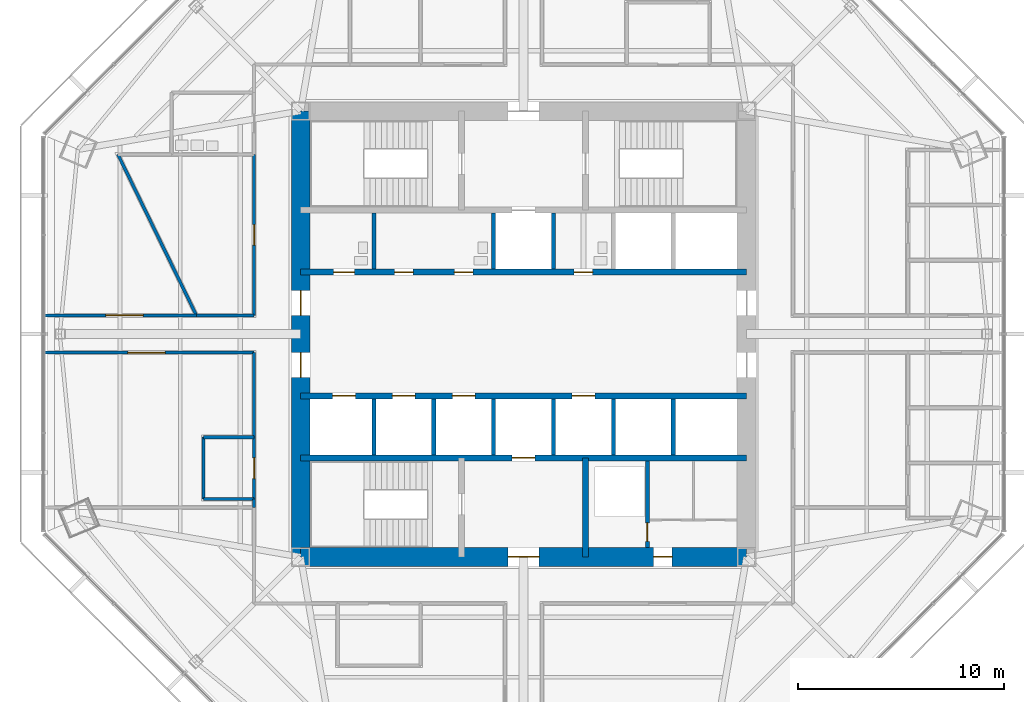
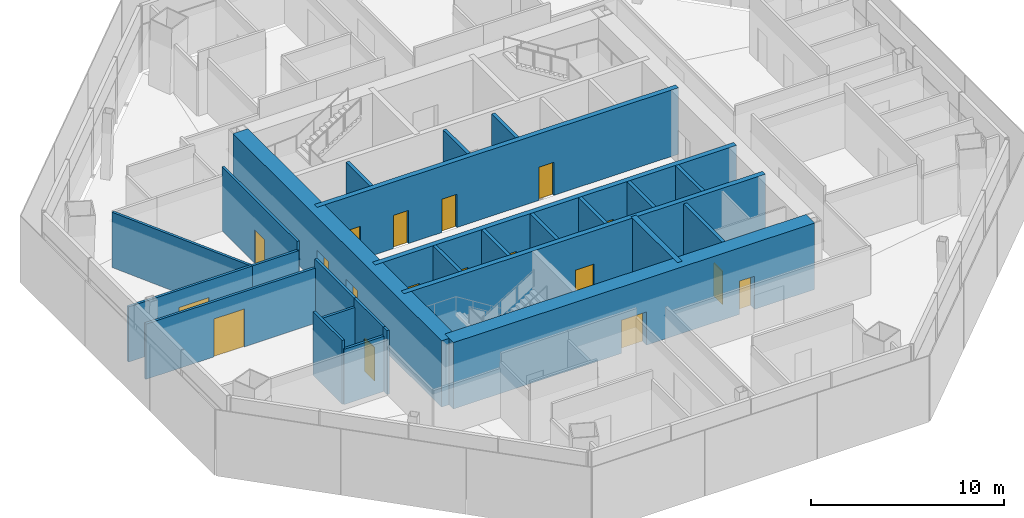
# One storey, part 9 of 15: 27 walls, 18 doors, 18 openings.
"""IFC4 building model written with IfcOpenShell, lengths in metres."""

from ifc_helpers import new_model, si_unit, direction, frame, frame_2d, origin, place, context, subcontext, project, spatial, rectangle, extrude, material, layer, layer_set, type_object, element, fill, save


model = new_model("IFC4")

# Units and contexts
model_context = context("Model", 3, precision=1e-05, world=origin(), true_north=direction((0.0, 1.0)))
body_context = subcontext(model_context, "Body", "Model", "MODEL_VIEW")
ifc_project = project(units=[si_unit("LENGTHUNIT", "METRE"), si_unit("AREAUNIT", "SQUARE_METRE"), si_unit("VOLUMEUNIT", "CUBIC_METRE"), si_unit("PLANEANGLEUNIT", "RADIAN"), si_unit("MASSUNIT", "GRAM", prefix="KILO")], contexts=[model_context])

# Site, building, storey
site_placement = place(None, origin())
site = spatial("IfcSite", under=ifc_project, at=site_placement, CompositionType="ELEMENT")
building_placement = place(site_placement, origin())
building = spatial("IfcBuilding", under=site, at=building_placement, Name="Mashrafa Tower", CompositionType="ELEMENT")
storey_placement = place(building_placement, frame((0.0, 0.0, 168.0)))
storey = spatial("IfcBuildingStorey", under=building, at=storey_placement, Name="L38", CompositionType="ELEMENT", Elevation=168.0)

# Wall, opening, door
ifc_material_1 = material(Name="Concrete masonry unit", Category="masonry")
ifc_layer_1 = layer(ifc_material_1, 0.199951171875)
ifc_layer_set_1 = layer_set([ifc_layer_1], Name="Blockwork wall 200 2 hr")
wall_type_1 = type_object("IfcWallType", Name="Blockwork wall 200 2 hr", PredefinedType="PARTITIONING", material=ifc_layer_set_1)
wall_1_placement = place(storey_placement, frame((6.0, -10.35009765625, 0.0), z_axis=(0.0, 0.0, 1.0), x_axis=(0.0, 1.0, 0.0)))
wall_1 = element("IfcWall", 1, at=wall_1_placement, inside=storey, type_object=wall_type_1, Name="Riser enclosure wall L38", PredefinedType="PARTITIONING", context=body_context, shape_type="SweptSolid", body=[
    extrude(rectangle(XDim=4.2001953125, YDim=0.199951171875, at=frame_2d((2.10009765625, 0.0))), origin(), (0.0, 0.0, 1.0), 4.034912109375),
])
opening_1_placement = place(wall_1_placement, frame((0.300048828125, 0.0, 0.0)))
opening_1 = element("IfcOpeningElement", 2, at=opening_1_placement, cuts=wall_1, Name="Opening 38.034", PredefinedType="OPENING", context=body_context, shape_type="SweptSolid", body=[
    extrude(rectangle(XDim=0.89990234375, YDim=2.10009765625, at=frame_2d((0.449951171875, 1.050048828125))), frame((0.0, 0.10986328125, 0.0), z_axis=(0.0, -1.0, 0.0), x_axis=(1.0, 0.0, 0.0)), (0.0, 0.0, 1.0), 0.219970703125),
])
ifc_material_2 = material(Name="Steel door", Category="steel")
door_type_1 = type_object("IfcDoorType", Name="Service door 900 x 2100 90 min", OperationType="USERDEFINED", PredefinedType="DOOR", material=ifc_material_2)
door_1_placement = place(opening_1_placement, origin())
door_1 = element("IfcDoor", 3, at=door_1_placement, inside=storey, type_object=door_type_1, Name="Riser door L38", OperationType="SINGLE_SWING_LEFT", OverallHeight=2.10009765625, OverallWidth=0.89990234375, PredefinedType="DOOR", context=body_context, shape_type="SweptSolid", body=[
    extrude(rectangle(XDim=0.89990234375, YDim=2.10009765625, at=frame_2d((0.449951171875, 1.050048828125))), frame((0.0, 0.02490234375, 0.0), z_axis=(0.0, -1.0, 0.0), x_axis=(1.0, 0.0, 0.0)), (0.0, 0.0, 1.0), 0.050048828125),
])
fill(opening_1, door_1)

# Wall, openings, doors
ifc_material_3 = material(Name="Concrete C60/75", Category="concrete")
ifc_layer_2 = layer(ifc_material_3, 0.300048828125)
ifc_layer_set_2 = layer_set([ifc_layer_2], Name="Core wall 300 C60/75")
wall_type_2 = type_object("IfcWallType", Name="Core wall 300 C60/75", PredefinedType="SOLIDWALL", material=ifc_layer_set_2)
wall_2_placement = place(storey_placement, frame((-10.800048828125, 3.0, 0.0), z_axis=(0.0, 0.0, 1.0), x_axis=(1.0, 0.0, 0.0)))
wall_2 = element("IfcWall", 4, at=wall_2_placement, inside=storey, type_object=wall_type_2, Name="Core wall CH-N L38", PredefinedType="SOLIDWALL", context=body_context, shape_type="SweptSolid", body=[
    extrude(rectangle(XDim=21.60009765625, YDim=0.300048828125, at=frame_2d((10.800048828125, 0.0))), origin(), (0.0, 0.0, 1.0), 4.199951171875),
])
opening_2_placement = place(wall_2_placement, frame((1.60009765625, 0.0, 0.0)))
opening_2 = element("IfcOpeningElement", 5, at=opening_2_placement, cuts=wall_2, Name="Opening 38.037", PredefinedType="OPENING", context=body_context, shape_type="SweptSolid", body=[
    extrude(rectangle(XDim=1.0, YDim=2.10009765625, at=frame_2d((0.5, 1.050048828125))), frame((0.0, 0.159912109375, 0.0), z_axis=(0.0, -1.0, 0.0), x_axis=(1.0, 0.0, 0.0)), (0.0, 0.0, 1.0), 0.320068359375),
])
opening_3_placement = place(wall_2_placement, frame((4.550048828125, 0.0, 0.0)))
opening_3 = element("IfcOpeningElement", 6, at=opening_3_placement, cuts=wall_2, Name="Opening 38.038", PredefinedType="OPENING", context=body_context, shape_type="SweptSolid", body=[
    extrude(rectangle(XDim=0.89990234375, YDim=2.10009765625, at=frame_2d((0.449951171875, 1.050048828125))), frame((0.0, 0.159912109375, 0.0), z_axis=(0.0, -1.0, 0.0), x_axis=(1.0, 0.0, 0.0)), (0.0, 0.0, 1.0), 0.320068359375),
])
opening_4_placement = place(wall_2_placement, frame((7.449951171875, 0.0, 0.0)))
opening_4 = element("IfcOpeningElement", 7, at=opening_4_placement, cuts=wall_2, Name="Opening 38.039", PredefinedType="OPENING", context=body_context, shape_type="SweptSolid", body=[
    extrude(rectangle(XDim=0.89990234375, YDim=2.10009765625, at=frame_2d((0.449951171875, 1.050048828125))), frame((0.0, 0.159912109375, 0.0), z_axis=(0.0, -1.0, 0.0), x_axis=(1.0, 0.0, 0.0)), (0.0, 0.0, 1.0), 0.320068359375),
])
opening_5_placement = place(wall_2_placement, frame((13.25, 0.0, 0.0)))
opening_5 = element("IfcOpeningElement", 8, at=opening_5_placement, cuts=wall_2, Name="Opening 38.040", PredefinedType="OPENING", context=body_context, shape_type="SweptSolid", body=[
    extrude(rectangle(XDim=0.89990234375, YDim=2.10009765625, at=frame_2d((0.449951171875, 1.050048828125))), frame((0.0, 0.159912109375, 0.0), z_axis=(0.0, -1.0, 0.0), x_axis=(1.0, 0.0, 0.0)), (0.0, 0.0, 1.0), 0.320068359375),
])
ifc_material_4 = material(Name="Timber door", Category="wood")
door_type_2 = type_object("IfcDoorType", Name="Accessible toilet door 1000 x 2100", OperationType="USERDEFINED", PredefinedType="DOOR", material=ifc_material_4)
door_2_placement = place(opening_2_placement, origin())
door_2 = element("IfcDoor", 9, at=door_2_placement, inside=storey, type_object=door_type_2, Name="Accessible WC L38 door", OperationType="SINGLE_SWING_RIGHT", OverallHeight=2.10009765625, OverallWidth=1.0, PredefinedType="DOOR", context=body_context, shape_type="SweptSolid", body=[
    extrude(rectangle(XDim=1.0, YDim=2.10009765625, at=frame_2d((0.5, 1.050048828125))), frame((0.0, 0.02490234375, 0.0), z_axis=(0.0, -1.0, 0.0), x_axis=(1.0, 0.0, 0.0)), (0.0, 0.0, 1.0), 0.050048828125),
])
fill(opening_2, door_2)
ifc_material_5 = material(Name="Timber door", Category="wood")
door_type_3 = type_object("IfcDoorType", Name="Toilet door 900 x 2100", OperationType="USERDEFINED", PredefinedType="DOOR", material=ifc_material_5)
door_3_placement = place(opening_3_placement, origin())
door_3 = element("IfcDoor", 10, at=door_3_placement, inside=storey, type_object=door_type_3, Name="WC Male L38 door", OperationType="SINGLE_SWING_LEFT", OverallHeight=2.10009765625, OverallWidth=0.89990234375, PredefinedType="DOOR", context=body_context, shape_type="SweptSolid", body=[
    extrude(rectangle(XDim=0.89990234375, YDim=2.10009765625, at=frame_2d((0.449951171875, 1.050048828125))), frame((0.0, 0.02490234375, 0.0), z_axis=(0.0, -1.0, 0.0), x_axis=(1.0, 0.0, 0.0)), (0.0, 0.0, 1.0), 0.050048828125),
])
fill(opening_3, door_3)
door_4_placement = place(opening_4_placement, origin())
door_4 = element("IfcDoor", 11, at=door_4_placement, inside=storey, type_object=door_type_3, Name="WC Male L38 door", OperationType="SINGLE_SWING_RIGHT", OverallHeight=2.10009765625, OverallWidth=0.89990234375, PredefinedType="DOOR", context=body_context, shape_type="SweptSolid", body=[
    extrude(rectangle(XDim=0.89990234375, YDim=2.10009765625, at=frame_2d((0.449951171875, 1.050048828125))), frame((0.0, 0.02490234375, 0.0), z_axis=(0.0, -1.0, 0.0), x_axis=(1.0, 0.0, 0.0)), (0.0, 0.0, 1.0), 0.050048828125),
])
fill(opening_4, door_4)
door_5_placement = place(opening_5_placement, origin())
door_5 = element("IfcDoor", 12, at=door_5_placement, inside=storey, type_object=door_type_3, Name="WC Female L38 door", OperationType="SINGLE_SWING_LEFT", OverallHeight=2.10009765625, OverallWidth=0.89990234375, PredefinedType="DOOR", context=body_context, shape_type="SweptSolid", body=[
    extrude(rectangle(XDim=0.89990234375, YDim=2.10009765625, at=frame_2d((0.449951171875, 1.050048828125))), frame((0.0, 0.02490234375, 0.0), z_axis=(0.0, -1.0, 0.0), x_axis=(1.0, 0.0, 0.0)), (0.0, 0.0, 1.0), 0.050048828125),
])
fill(opening_5, door_5)

wall_3_placement = place(storey_placement, frame((-10.800048828125, -3.0, 0.0), z_axis=(0.0, 0.0, 1.0), x_axis=(1.0, 0.0, 0.0)))
wall_3 = element("IfcWall", 13, at=wall_3_placement, inside=storey, type_object=wall_type_2, Name="Core wall CH-S L38", PredefinedType="SOLIDWALL", context=body_context, shape_type="SweptSolid", body=[
    extrude(rectangle(XDim=21.60009765625, YDim=0.300048828125, at=frame_2d((10.800048828125, 0.0))), origin(), (0.0, 0.0, 1.0), 4.199951171875),
])
opening_6_placement = place(wall_3_placement, frame((1.550048828125, 0.0, 0.0)))
opening_6 = element("IfcOpeningElement", 14, at=opening_6_placement, cuts=wall_3, Name="Opening 38.B1", PredefinedType="OPENING", context=body_context, shape_type="SweptSolid", body=[
    extrude(rectangle(XDim=1.10009765625, YDim=2.10009765625, at=frame_2d((0.550048828125, 1.050048828125))), frame((0.0, 0.159912109375, 0.0), z_axis=(0.0, -1.0, 0.0), x_axis=(1.0, 0.0, 0.0)), (0.0, 0.0, 1.0), 0.320068359375),
])
opening_7_placement = place(wall_3_placement, frame((4.449951171875, 0.0, 0.0)))
opening_7 = element("IfcOpeningElement", 15, at=opening_7_placement, cuts=wall_3, Name="Opening 38.B2", PredefinedType="OPENING", context=body_context, shape_type="SweptSolid", body=[
    extrude(rectangle(XDim=1.10009765625, YDim=2.10009765625, at=frame_2d((0.550048828125, 1.050048828125))), frame((0.0, 0.159912109375, 0.0), z_axis=(0.0, -1.0, 0.0), x_axis=(1.0, 0.0, 0.0)), (0.0, 0.0, 1.0), 0.320068359375),
])
opening_8_placement = place(wall_3_placement, frame((7.35009765625, 0.0, 0.0)))
opening_8 = element("IfcOpeningElement", 16, at=opening_8_placement, cuts=wall_3, Name="Opening 38.B3", PredefinedType="OPENING", context=body_context, shape_type="SweptSolid", body=[
    extrude(rectangle(XDim=1.10009765625, YDim=2.10009765625, at=frame_2d((0.550048828125, 1.050048828125))), frame((0.0, 0.159912109375, 0.0), z_axis=(0.0, -1.0, 0.0), x_axis=(1.0, 0.0, 0.0)), (0.0, 0.0, 1.0), 0.320068359375),
])
opening_9_placement = place(wall_3_placement, frame((13.14990234375, 0.0, 0.0)))
opening_9 = element("IfcOpeningElement", 17, at=opening_9_placement, cuts=wall_3, Name="Opening 38.B4", PredefinedType="OPENING", context=body_context, shape_type="SweptSolid", body=[
    extrude(rectangle(XDim=1.10009765625, YDim=2.10009765625, at=frame_2d((0.550048828125, 1.050048828125))), frame((0.0, 0.159912109375, 0.0), z_axis=(0.0, -1.0, 0.0), x_axis=(1.0, 0.0, 0.0)), (0.0, 0.0, 1.0), 0.320068359375),
])
ifc_material_6 = material(Name="Steel door", Category="steel")
door_type_4 = type_object("IfcDoorType", Name="Lift landing door 1100 x 2100 90 min", OperationType="DOUBLE_DOOR_SLIDING", PredefinedType="DOOR", material=ifc_material_6)
door_6_placement = place(opening_6_placement, origin())
door_6 = element("IfcDoor", 18, at=door_6_placement, inside=storey, type_object=door_type_4, Name="Lift landing door B1 L38", OperationType="DOUBLE_DOOR_SLIDING", OverallHeight=2.10009765625, OverallWidth=1.10009765625, PredefinedType="DOOR", context=body_context, shape_type="SweptSolid", body=[
    extrude(rectangle(XDim=1.10009765625, YDim=2.10009765625, at=frame_2d((0.550048828125, 1.050048828125))), frame((0.0, 0.02490234375, 0.0), z_axis=(0.0, -1.0, 0.0), x_axis=(1.0, 0.0, 0.0)), (0.0, 0.0, 1.0), 0.050048828125),
])
fill(opening_6, door_6)
door_7_placement = place(opening_7_placement, origin())
door_7 = element("IfcDoor", 19, at=door_7_placement, inside=storey, type_object=door_type_4, Name="Lift landing door B2 L38", OperationType="DOUBLE_DOOR_SLIDING", OverallHeight=2.10009765625, OverallWidth=1.10009765625, PredefinedType="DOOR", context=body_context, shape_type="SweptSolid", body=[
    extrude(rectangle(XDim=1.10009765625, YDim=2.10009765625, at=frame_2d((0.550048828125, 1.050048828125))), frame((0.0, 0.02490234375, 0.0), z_axis=(0.0, -1.0, 0.0), x_axis=(1.0, 0.0, 0.0)), (0.0, 0.0, 1.0), 0.050048828125),
])
fill(opening_7, door_7)
door_8_placement = place(opening_8_placement, origin())
door_8 = element("IfcDoor", 20, at=door_8_placement, inside=storey, type_object=door_type_4, Name="Lift landing door B3 L38", OperationType="DOUBLE_DOOR_SLIDING", OverallHeight=2.10009765625, OverallWidth=1.10009765625, PredefinedType="DOOR", context=body_context, shape_type="SweptSolid", body=[
    extrude(rectangle(XDim=1.10009765625, YDim=2.10009765625, at=frame_2d((0.550048828125, 1.050048828125))), frame((0.0, 0.02490234375, 0.0), z_axis=(0.0, -1.0, 0.0), x_axis=(1.0, 0.0, 0.0)), (0.0, 0.0, 1.0), 0.050048828125),
])
fill(opening_8, door_8)
door_9_placement = place(opening_9_placement, origin())
door_9 = element("IfcDoor", 21, at=door_9_placement, inside=storey, type_object=door_type_4, Name="Lift landing door B4 L38", OperationType="DOUBLE_DOOR_SLIDING", OverallHeight=2.10009765625, OverallWidth=1.10009765625, PredefinedType="DOOR", context=body_context, shape_type="SweptSolid", body=[
    extrude(rectangle(XDim=1.10009765625, YDim=2.10009765625, at=frame_2d((0.550048828125, 1.050048828125))), frame((0.0, 0.02490234375, 0.0), z_axis=(0.0, -1.0, 0.0), x_axis=(1.0, 0.0, 0.0)), (0.0, 0.0, 1.0), 0.050048828125),
])
fill(opening_9, door_9)

# Wall, opening, door
wall_4_placement = place(storey_placement, frame((-10.800048828125, -6.0, 0.0), z_axis=(0.0, 0.0, 1.0), x_axis=(1.0, 0.0, 0.0)))
wall_4 = element("IfcWall", 22, at=wall_4_placement, inside=storey, type_object=wall_type_2, Name="Core wall CB-S L38", PredefinedType="SOLIDWALL", context=body_context, shape_type="SweptSolid", body=[
    extrude(rectangle(XDim=21.60009765625, YDim=0.300048828125, at=frame_2d((10.800048828125, 0.0))), origin(), (0.0, 0.0, 1.0), 4.199951171875),
])
opening_10_placement = place(wall_4_placement, frame((10.25, 0.0, 0.0)))
opening_10 = element("IfcOpeningElement", 23, at=opening_10_placement, cuts=wall_4, Name="Opening 38.F2", PredefinedType="OPENING", context=body_context, shape_type="SweptSolid", body=[
    extrude(rectangle(XDim=1.10009765625, YDim=2.10009765625, at=frame_2d((0.550048828125, 1.050048828125))), frame((0.0, 0.159912109375, 0.0), z_axis=(0.0, -1.0, 0.0), x_axis=(1.0, 0.0, 0.0)), (0.0, 0.0, 1.0), 0.320068359375),
])
door_10_placement = place(opening_10_placement, origin())
door_10 = element("IfcDoor", 24, at=door_10_placement, inside=storey, type_object=door_type_4, Name="Lift landing door F2 L38", OperationType="DOUBLE_DOOR_SLIDING", OverallHeight=2.10009765625, OverallWidth=1.10009765625, PredefinedType="DOOR", context=body_context, shape_type="SweptSolid", body=[
    extrude(rectangle(XDim=1.10009765625, YDim=2.10009765625, at=frame_2d((0.550048828125, 1.050048828125))), frame((0.0, 0.02490234375, 0.0), z_axis=(0.0, -1.0, 0.0), x_axis=(1.0, 0.0, 0.0)), (0.0, 0.0, 1.0), 0.050048828125),
])
fill(opening_10, door_10)

# Wall
wall_5_placement = place(storey_placement, frame((3.0, -6.0, 0.0), z_axis=(0.0, 0.0, 1.0), x_axis=(0.0, -1.0, 0.0)))
element("IfcWall", 25, at=wall_5_placement, inside=storey, type_object=wall_type_2, Name="Core wall CX-SE L38", PredefinedType="SOLIDWALL", context=body_context, shape_type="SweptSolid", body=[
    extrude(rectangle(XDim=4.800048828125, YDim=0.300048828125, at=frame_2d((2.39990234375, 0.0))), origin(), (0.0, 0.0, 1.0), 4.199951171875),
])

# Wall, openings, doors
ifc_material_7 = material(Name="Concrete C60/75", Category="concrete")
ifc_layer_3 = layer(ifc_material_7, 0.89990234375)
ifc_layer_set_3 = layer_set([ifc_layer_3], Name="Core wall 900 C60/75")
wall_type_3 = type_object("IfcWallType", Name="Core wall 900 C60/75", PredefinedType="SOLIDWALL", material=ifc_layer_set_3)
wall_6_placement = place(storey_placement, frame((-10.800048828125, -10.800048828125, 0.0), z_axis=(0.0, 0.0, 1.0), x_axis=(1.0, 0.0, 0.0)))
wall_6 = element("IfcWall", 26, at=wall_6_placement, inside=storey, type_object=wall_type_3, Name="Core wall CW-S L38", PredefinedType="SOLIDWALL", context=body_context, shape_type="SweptSolid", body=[
    extrude(rectangle(XDim=21.60009765625, YDim=0.89990234375, at=frame_2d((10.800048828125, 0.0))), origin(), (0.0, 0.0, 1.0), 4.199951171875),
])
opening_11_placement = place(wall_6_placement, frame((10.050048828125, 0.0, 0.0)))
opening_11 = element("IfcOpeningElement", 27, at=opening_11_placement, cuts=wall_6, Name="Opening 38.029", PredefinedType="OPENING", context=body_context, shape_type="SweptSolid", body=[
    extrude(rectangle(XDim=1.5, YDim=2.10009765625, at=frame_2d((0.75, 1.050048828125))), frame((0.0, 0.4599609375, 0.0), z_axis=(0.0, -1.0, 0.0), x_axis=(1.0, 0.0, 0.0)), (0.0, 0.0, 1.0), 0.919921875),
])
opening_12_placement = place(wall_6_placement, frame((17.10009765625, 0.0, 0.0)))
opening_12 = element("IfcOpeningElement", 28, at=opening_12_placement, cuts=wall_6, Name="Opening 38.033", PredefinedType="OPENING", context=body_context, shape_type="SweptSolid", body=[
    extrude(rectangle(XDim=0.89990234375, YDim=2.10009765625, at=frame_2d((0.449951171875, 1.050048828125))), frame((0.0, 0.4599609375, 0.0), z_axis=(0.0, -1.0, 0.0), x_axis=(1.0, 0.0, 0.0)), (0.0, 0.0, 1.0), 0.919921875),
])
ifc_material_8 = material(Name="Steel door", Category="steel")
door_type_5 = type_object("IfcDoorType", Name="Lobby door pair 1500 x 2100 90 min", OperationType="DOUBLE_DOOR_SINGLE_SWING", PredefinedType="DOOR", material=ifc_material_8)
door_11_placement = place(opening_11_placement, origin())
door_11 = element("IfcDoor", 29, at=door_11_placement, inside=storey, type_object=door_type_5, Name="Fire-fighting lobby F2 door L38", OperationType="DOUBLE_DOOR_SINGLE_SWING", OverallHeight=2.10009765625, OverallWidth=1.5, PredefinedType="DOOR", context=body_context, shape_type="SweptSolid", body=[
    extrude(rectangle(XDim=1.5, YDim=2.10009765625, at=frame_2d((0.75, 1.050048828125))), frame((0.0, 0.02490234375, 0.0), z_axis=(0.0, -1.0, 0.0), x_axis=(1.0, 0.0, 0.0)), (0.0, 0.0, 1.0), 0.050048828125),
])
fill(opening_11, door_11)
door_12_placement = place(opening_12_placement, frame((0.89990234375, 0.0, 0.0), z_axis=(0.0, 0.0, 1.0), x_axis=(-1.0, 0.0, 0.0)))
door_12 = element("IfcDoor", 30, at=door_12_placement, inside=storey, type_object=door_type_1, Name="Services Lobby L38 door", OperationType="SINGLE_SWING_LEFT", OverallHeight=2.10009765625, OverallWidth=0.89990234375, PredefinedType="DOOR", context=body_context, shape_type="SweptSolid", body=[
    extrude(rectangle(XDim=0.89990234375, YDim=2.10009765625, at=frame_2d((0.449951171875, 1.050048828125))), frame((0.0, 0.02490234375, 0.0), z_axis=(0.0, -1.0, 0.0), x_axis=(1.0, 0.0, 0.0)), (0.0, 0.0, 1.0), 0.050048828125),
])
fill(opening_12, door_12)

wall_7_placement = place(storey_placement, frame((-10.800048828125, 10.800048828125, 0.0), z_axis=(0.0, 0.0, 1.0), x_axis=(0.0, -1.0, 0.0)))
wall_7 = element("IfcWall", 31, at=wall_7_placement, inside=storey, type_object=wall_type_3, Name="Core wall CW-W L38", PredefinedType="SOLIDWALL", context=body_context, shape_type="SweptSolid", body=[
    extrude(rectangle(XDim=21.60009765625, YDim=0.89990234375, at=frame_2d((10.800048828125, 0.0))), origin(), (0.0, 0.0, 1.0), 4.199951171875),
])
opening_13_placement = place(wall_7_placement, frame((8.699951171875, 0.0, 0.0)))
opening_13 = element("IfcOpeningElement", 32, at=opening_13_placement, cuts=wall_7, Name="Opening 38.025", PredefinedType="OPENING", context=body_context, shape_type="SweptSolid", body=[
    extrude(rectangle(XDim=1.199951171875, YDim=2.10009765625, at=frame_2d((0.60009765625, 1.050048828125))), frame((0.0, 0.4599609375, 0.0), z_axis=(0.0, -1.0, 0.0), x_axis=(1.0, 0.0, 0.0)), (0.0, 0.0, 1.0), 0.919921875),
])
opening_14_placement = place(wall_7_placement, frame((11.699951171875, 0.0, 0.0)))
opening_14 = element("IfcOpeningElement", 33, at=opening_14_placement, cuts=wall_7, Name="Opening 38.027", PredefinedType="OPENING", context=body_context, shape_type="SweptSolid", body=[
    extrude(rectangle(XDim=1.199951171875, YDim=2.10009765625, at=frame_2d((0.60009765625, 1.050048828125))), frame((0.0, 0.4599609375, 0.0), z_axis=(0.0, -1.0, 0.0), x_axis=(1.0, 0.0, 0.0)), (0.0, 0.0, 1.0), 0.919921875),
])
ifc_material_9 = material(Name="Steel door", Category="steel")
door_type_6 = type_object("IfcDoorType", Name="Lift hall door 1200 x 2100 90 min", OperationType="USERDEFINED", PredefinedType="DOOR", material=ifc_material_9)
door_13_placement = place(opening_13_placement, frame((1.199951171875, 0.0, 0.0), z_axis=(0.0, 0.0, 1.0), x_axis=(-1.0, 0.0, 0.0)))
door_13 = element("IfcDoor", 34, at=door_13_placement, inside=storey, type_object=door_type_6, Name="Lift hall door west L38", OperationType="SINGLE_SWING_RIGHT", OverallHeight=2.10009765625, OverallWidth=1.199951171875, PredefinedType="DOOR", context=body_context, shape_type="SweptSolid", body=[
    extrude(rectangle(XDim=1.199951171875, YDim=2.10009765625, at=frame_2d((0.60009765625, 1.050048828125))), frame((0.0, 0.02490234375, 0.0), z_axis=(0.0, -1.0, 0.0), x_axis=(1.0, 0.0, 0.0)), (0.0, 0.0, 1.0), 0.050048828125),
])
fill(opening_13, door_13)
door_14_placement = place(opening_14_placement, frame((1.199951171875, 0.0, 0.0), z_axis=(0.0, 0.0, 1.0), x_axis=(-1.0, 0.0, 0.0)))
door_14 = element("IfcDoor", 35, at=door_14_placement, inside=storey, type_object=door_type_6, Name="Lift hall door west L38", OperationType="SINGLE_SWING_LEFT", OverallHeight=2.10009765625, OverallWidth=1.199951171875, PredefinedType="DOOR", context=body_context, shape_type="SweptSolid", body=[
    extrude(rectangle(XDim=1.199951171875, YDim=2.10009765625, at=frame_2d((0.60009765625, 1.050048828125))), frame((0.0, 0.02490234375, 0.0), z_axis=(0.0, -1.0, 0.0), x_axis=(1.0, 0.0, 0.0)), (0.0, 0.0, 1.0), 0.050048828125),
])
fill(opening_14, door_14)

# Wall, opening, door
ifc_material_10 = material(Name="Gypsum board on steel studs", Category="steel")
ifc_layer_4 = layer(ifc_material_10, 0.14990234375)
ifc_layer_set_4 = layer_set([ifc_layer_4], Name="Corridor partition 150 1 hr")
wall_type_4 = type_object("IfcWallType", Name="Corridor partition 150 1 hr", PredefinedType="PARTITIONING", material=ifc_layer_set_4)
wall_8_placement = place(storey_placement, frame((-13.050048828125, 8.700927734375, 0.0), z_axis=(0.0, 0.0, 1.0), x_axis=(0.0, -1.0, 0.0)))
wall_8 = element("IfcWall", 36, at=wall_8_placement, inside=storey, type_object=wall_type_4, Name="Corridor wall L38-001", PredefinedType="PARTITIONING", context=body_context, shape_type="SweptSolid", body=[
    extrude(rectangle(XDim=7.801025390625, YDim=0.14990234375, at=frame_2d((3.900390625, 0.0))), origin(), (0.0, 0.0, 1.0), 4.034912109375),
])
opening_15_placement = place(wall_8_placement, frame((3.400390625, 0.0, 0.0)))
opening_15 = element("IfcOpeningElement", 37, at=opening_15_placement, cuts=wall_8, Name="Opening 38.001", PredefinedType="OPENING", context=body_context, shape_type="SweptSolid", body=[
    extrude(rectangle(XDim=1.0, YDim=2.10009765625, at=frame_2d((0.5, 1.050048828125))), frame((0.0, 0.0849609375, 0.0), z_axis=(0.0, -1.0, 0.0), x_axis=(1.0, 0.0, 0.0)), (0.0, 0.0, 1.0), 0.169921875),
])
ifc_material_11 = material(Name="Timber door", Category="wood")
door_type_7 = type_object("IfcDoorType", Name="Door 1000 x 2100", OperationType="USERDEFINED", PredefinedType="DOOR", material=ifc_material_11)
door_15_placement = place(opening_15_placement, frame((1.0, 0.0, 0.0), z_axis=(0.0, 0.0, 1.0), x_axis=(-1.0, 0.0, 0.0)))
door_15 = element("IfcDoor", 38, at=door_15_placement, inside=storey, type_object=door_type_7, Name="Musallah Prayer Room 38 door", OperationType="SINGLE_SWING_LEFT", OverallHeight=2.10009765625, OverallWidth=1.0, PredefinedType="DOOR", context=body_context, shape_type="SweptSolid", body=[
    extrude(rectangle(XDim=1.0, YDim=2.10009765625, at=frame_2d((0.5, 1.050048828125))), frame((0.0, 0.02490234375, 0.0), z_axis=(0.0, -1.0, 0.0), x_axis=(1.0, 0.0, 0.0)), (0.0, 0.0, 1.0), 0.050048828125),
])
fill(opening_15, door_15)

# Wall
wall_9_placement = place(storey_placement, frame((-13.050048828125, 0.89990234375, 0.0), z_axis=(0.0, 0.0, 1.0), x_axis=(-1.0, 0.0, 0.0)))
element("IfcWall", 39, at=wall_9_placement, inside=storey, type_object=wall_type_4, Name="Corridor wall L38-002", PredefinedType="PARTITIONING", context=body_context, shape_type="SweptSolid", body=[
    extrude(rectangle(XDim=2.796630859375, YDim=0.14990234375, at=frame_2d((1.3984375, 0.0))), origin(), (0.0, 0.0, 1.0), 3.49169921875),
])

# Wall, opening, door
wall_10_placement = place(storey_placement, frame((-13.050048828125, -4.9990234375, 0.0), z_axis=(0.0, 0.0, 1.0), x_axis=(0.0, -1.0, 0.0)))
wall_10 = element("IfcWall", 40, at=wall_10_placement, inside=storey, type_object=wall_type_4, Name="Corridor wall L38-008", PredefinedType="PARTITIONING", context=body_context, shape_type="SweptSolid", body=[
    extrude(rectangle(XDim=3.001953125, YDim=0.14990234375, at=frame_2d((1.5009765625, 0.0))), origin(), (0.0, 0.0, 1.0), 4.034912109375),
])
opening_16_placement = place(wall_10_placement, frame((1.0009765625, 0.0, 0.0)))
opening_16 = element("IfcOpeningElement", 41, at=opening_16_placement, cuts=wall_10, Name="Opening 38.007", PredefinedType="OPENING", context=body_context, shape_type="SweptSolid", body=[
    extrude(rectangle(XDim=1.0, YDim=2.10009765625, at=frame_2d((0.5, 1.050048828125))), frame((0.0, 0.0849609375, 0.0), z_axis=(0.0, -1.0, 0.0), x_axis=(1.0, 0.0, 0.0)), (0.0, 0.0, 1.0), 0.169921875),
])
door_16_placement = place(opening_16_placement, frame((1.0, 0.0, 0.0), z_axis=(0.0, 0.0, 1.0), x_axis=(-1.0, 0.0, 0.0)))
door_16 = element("IfcDoor", 42, at=door_16_placement, inside=storey, type_object=door_type_7, Name="Pantry 38-3 door", OperationType="SINGLE_SWING_RIGHT", OverallHeight=2.10009765625, OverallWidth=1.0, PredefinedType="DOOR", context=body_context, shape_type="SweptSolid", body=[
    extrude(rectangle(XDim=1.0, YDim=2.10009765625, at=frame_2d((0.5, 1.050048828125))), frame((0.0, 0.02490234375, 0.0), z_axis=(0.0, -1.0, 0.0), x_axis=(1.0, 0.0, 0.0)), (0.0, 0.0, 1.0), 0.050048828125),
])
fill(opening_16, door_16)

wall_11_placement = place(storey_placement, frame((-15.844482421875, 0.89990234375, 0.0), z_axis=(0.0, 0.0, 1.0), x_axis=(-1.0, 0.0, 0.0)))
wall_11 = element("IfcWall", 43, at=wall_11_placement, inside=storey, type_object=wall_type_4, Name="Corridor wall L38-016", PredefinedType="PARTITIONING", context=body_context, shape_type="SweptSolid", body=[
    extrude(rectangle(XDim=7.401611328125, YDim=0.14990234375, at=frame_2d((3.70068359375, 0.0))), origin(), (0.0, 0.0, 1.0), 3.49169921875),
])
opening_17_placement = place(wall_11_placement, frame((2.583740234375, 0.0, 0.0)))
opening_17 = element("IfcOpeningElement", 44, at=opening_17_placement, cuts=wall_11, Name="Opening 38.018", PredefinedType="OPENING", context=body_context, shape_type="SweptSolid", body=[
    extrude(rectangle(XDim=1.800048828125, YDim=2.39990234375, at=frame_2d((0.89990234375, 1.199951171875))), frame((0.0, 0.0849609375, 0.0), z_axis=(0.0, -1.0, 0.0), x_axis=(1.0, 0.0, 0.0)), (0.0, 0.0, 1.0), 0.169921875),
])
ifc_material_12 = material(Name="Timber door", Category="wood")
door_type_8 = type_object("IfcDoorType", Name="Door pair 1800 x 2400", OperationType="DOUBLE_DOOR_SINGLE_SWING", PredefinedType="DOOR", material=ifc_material_12)
door_17_placement = place(opening_17_placement, frame((1.800048828125, 0.0, 0.0), z_axis=(0.0, 0.0, 1.0), x_axis=(-1.0, 0.0, 0.0)))
door_17 = element("IfcDoor", 45, at=door_17_placement, inside=storey, type_object=door_type_8, Name="Office Tenancy 38-3-NW1 door", OperationType="DOUBLE_DOOR_SINGLE_SWING", OverallHeight=2.39990234375, OverallWidth=1.800048828125, PredefinedType="DOOR", context=body_context, shape_type="SweptSolid", body=[
    extrude(rectangle(XDim=1.800048828125, YDim=2.39990234375, at=frame_2d((0.89990234375, 1.199951171875))), frame((0.0, 0.02490234375, 0.0), z_axis=(0.0, -1.0, 0.0), x_axis=(1.0, 0.0, 0.0)), (0.0, 0.0, 1.0), 0.050048828125),
])
fill(opening_17, door_17)

wall_12_placement = place(storey_placement, frame((-23.24609375, -0.89990234375, 0.0), z_axis=(0.0, 0.0, 1.0), x_axis=(1.0, 0.0, 0.0)))
wall_12 = element("IfcWall", 46, at=wall_12_placement, inside=storey, type_object=wall_type_4, Name="Corridor wall L38-025", PredefinedType="PARTITIONING", context=body_context, shape_type="SweptSolid", body=[
    extrude(rectangle(XDim=10.196044921875, YDim=0.14990234375, at=frame_2d((5.09814453125, 0.0))), origin(), (0.0, 0.0, 1.0), 3.49169921875),
])
opening_18_placement = place(wall_12_placement, frame((4.080078125, 0.0, 0.0)))
opening_18 = element("IfcOpeningElement", 47, at=opening_18_placement, cuts=wall_12, Name="Opening 38.021", PredefinedType="OPENING", context=body_context, shape_type="SweptSolid", body=[
    extrude(rectangle(XDim=1.800048828125, YDim=2.39990234375, at=frame_2d((0.89990234375, 1.199951171875))), frame((0.0, 0.0849609375, 0.0), z_axis=(0.0, -1.0, 0.0), x_axis=(1.0, 0.0, 0.0)), (0.0, 0.0, 1.0), 0.169921875),
])
door_18_placement = place(opening_18_placement, frame((1.800048828125, 0.0, 0.0), z_axis=(0.0, 0.0, 1.0), x_axis=(-1.0, 0.0, 0.0)))
door_18 = element("IfcDoor", 48, at=door_18_placement, inside=storey, type_object=door_type_8, Name="Office Tenancy 38-3-SW2 door", OperationType="DOUBLE_DOOR_SINGLE_SWING", OverallHeight=2.39990234375, OverallWidth=1.800048828125, PredefinedType="DOOR", context=body_context, shape_type="SweptSolid", body=[
    extrude(rectangle(XDim=1.800048828125, YDim=2.39990234375, at=frame_2d((0.89990234375, 1.199951171875))), frame((0.0, 0.02490234375, 0.0), z_axis=(0.0, -1.0, 0.0), x_axis=(1.0, 0.0, 0.0)), (0.0, 0.0, 1.0), 0.050048828125),
])
fill(opening_18, door_18)

# Walls
wall_13_placement = place(storey_placement, frame((-13.050048828125, -0.89990234375, 0.0), z_axis=(0.0, 0.0, 1.0), x_axis=(0.0, -1.0, 0.0)))
element("IfcWall", 49, at=wall_13_placement, inside=storey, type_object=wall_type_4, Name="Corridor wall L38-026", PredefinedType="PARTITIONING", context=body_context, shape_type="SweptSolid", body=[
    extrude(rectangle(XDim=4.10107421875, YDim=0.14990234375, at=frame_2d((2.050537109375, 0.0))), origin(), (0.0, 0.0, 1.0), 4.034912109375),
])
wall_14_placement = place(storey_placement, frame((-13.050048828125, -7.9990234375, 0.0), z_axis=(0.0, 0.0, 1.0), x_axis=(0.0, -1.0, 0.0)))
element("IfcWall", 50, at=wall_14_placement, inside=storey, type_object=wall_type_4, Name="Corridor wall L38-027", PredefinedType="PARTITIONING", context=body_context, shape_type="SweptSolid", body=[
    extrude(rectangle(XDim=0.40185546875, YDim=0.14990234375, at=frame_2d((0.200927734375, 0.0))), origin(), (0.0, 0.0, 1.0), 4.034912109375),
])
ifc_material_13 = material(Name="Gypsum board on steel studs", Category="steel")
ifc_layer_5 = layer(ifc_material_13, 0.14990234375)
ifc_layer_set_5 = layer_set([ifc_layer_5], Name="Partition 150")
wall_type_5 = type_object("IfcWallType", Name="Partition 150", PredefinedType="PARTITIONING", material=ifc_layer_set_5)
wall_15_placement = place(storey_placement, frame((-19.64990234375, 8.699951171875, 0.0), z_axis=(0.0, 0.0, 1.0), x_axis=(0.438358227548, -0.898800347319, 0.0)))
element("IfcWall", 51, at=wall_15_placement, inside=storey, type_object=wall_type_5, Name="Partition wall L38-035", PredefinedType="PARTITIONING", context=body_context, shape_type="SweptSolid", body=[
    extrude(rectangle(XDim=8.67822265625, YDim=0.14990234375, at=frame_2d((4.339111328125, 0.0))), origin(), (0.0, 0.0, 1.0), 3.49169921875),
])
wall_16_placement = place(storey_placement, frame((-13.050048828125, -5.0, 0.0), z_axis=(0.0, 0.0, 1.0), x_axis=(-1.0, 0.0, 0.0)))
element("IfcWall", 52, at=wall_16_placement, inside=storey, type_object=wall_type_5, Name="Partition wall L38-052", PredefinedType="PARTITIONING", context=body_context, shape_type="SweptSolid", body=[
    extrude(rectangle(XDim=2.449951171875, YDim=0.14990234375, at=frame_2d((1.22509765625, 0.0))), origin(), (0.0, 0.0, 1.0), 3.49169921875),
])
wall_17_placement = place(storey_placement, frame((-15.5, -5.0, 0.0), z_axis=(0.0, 0.0, 1.0), x_axis=(0.0, -1.0, 0.0)))
element("IfcWall", 53, at=wall_17_placement, inside=storey, type_object=wall_type_5, Name="Partition wall L38-053", PredefinedType="PARTITIONING", context=body_context, shape_type="SweptSolid", body=[
    extrude(rectangle(XDim=3.0, YDim=0.14990234375, at=frame_2d((1.5, 0.0))), origin(), (0.0, 0.0, 1.0), 4.034912109375),
])
wall_18_placement = place(storey_placement, frame((-15.5, -8.0, 0.0), z_axis=(0.0, 0.0, 1.0), x_axis=(1.0, 0.0, 0.0)))
element("IfcWall", 54, at=wall_18_placement, inside=storey, type_object=wall_type_5, Name="Partition wall L38-054", PredefinedType="PARTITIONING", context=body_context, shape_type="SweptSolid", body=[
    extrude(rectangle(XDim=2.449951171875, YDim=0.14990234375, at=frame_2d((1.22509765625, 0.0))), origin(), (0.0, 0.0, 1.0), 3.49169921875),
])
ifc_material_14 = material(Name="Gypsum shaft wall on steel studs", Category="steel")
ifc_layer_6 = layer(ifc_material_14, 0.199951171875)
ifc_layer_set_6 = layer_set([ifc_layer_6], Name="Shaft divider wall 200 2 hr")
wall_type_6 = type_object("IfcWallType", Name="Shaft divider wall 200 2 hr", PredefinedType="PARTITIONING", material=ifc_layer_set_6)
for number, where, z_axis, x_axis, name in (
    (55, (-7.25, 3.14990234375, 0.0), (0.0, 0.0, 1.0), (0.0, 1.0, 0.0), "Shaft divider wall N1 L38"),
    (56, (-1.449951171875, 3.14990234375, 0.0), (0.0, 0.0, 1.0), (0.0, 1.0, 0.0), "Shaft divider wall N3 L38"),
    (57, (1.449951171875, 3.14990234375, 0.0), (0.0, 0.0, 1.0), (0.0, 1.0, 0.0), "Shaft divider wall N4 L38"),
):
    element("IfcWall", number, at=place(storey_placement, frame(where, z_axis=z_axis, x_axis=x_axis)), inside=storey, type_object=wall_type_6, Name=name, PredefinedType="PARTITIONING", context=body_context, shape_type="SweptSolid", body=[
        extrude(rectangle(XDim=2.7001953125, YDim=0.199951171875, at=frame_2d((1.35009765625, 0.0))), origin(), (0.0, 0.0, 1.0), 4.034912109375),
    ])
for number, where, z_axis, x_axis, name in (
    (58, (-7.25, -5.85009765625, 0.0), (0.0, 0.0, 1.0), (0.0, 1.0, 0.0), "Shaft divider wall S1 L38"),
    (59, (-4.35009765625, -5.85009765625, 0.0), (0.0, 0.0, 1.0), (0.0, 1.0, 0.0), "Shaft divider wall S2 L38"),
    (60, (-1.449951171875, -5.85009765625, 0.0), (0.0, 0.0, 1.0), (0.0, 1.0, 0.0), "Shaft divider wall S3 L38"),
    (61, (1.449951171875, -5.85009765625, 0.0), (0.0, 0.0, 1.0), (0.0, 1.0, 0.0), "Shaft divider wall S4 L38"),
    (62, (4.35009765625, -5.85009765625, 0.0), (0.0, 0.0, 1.0), (0.0, 1.0, 0.0), "Shaft divider wall S5 L38"),
    (63, (7.25, -5.85009765625, 0.0), (0.0, 0.0, 1.0), (0.0, 1.0, 0.0), "Shaft divider wall S6 L38"),
):
    element("IfcWall", number, at=place(storey_placement, frame(where, z_axis=z_axis, x_axis=x_axis)), inside=storey, type_object=wall_type_6, Name=name, PredefinedType="PARTITIONING", context=body_context, shape_type="SweptSolid", body=[
        extrude(rectangle(XDim=2.7001953125, YDim=0.199951171875, at=frame_2d((1.35009765625, 0.0))), origin(), (0.0, 0.0, 1.0), 4.199951171875),
    ])

save(model, "model.ifc")
